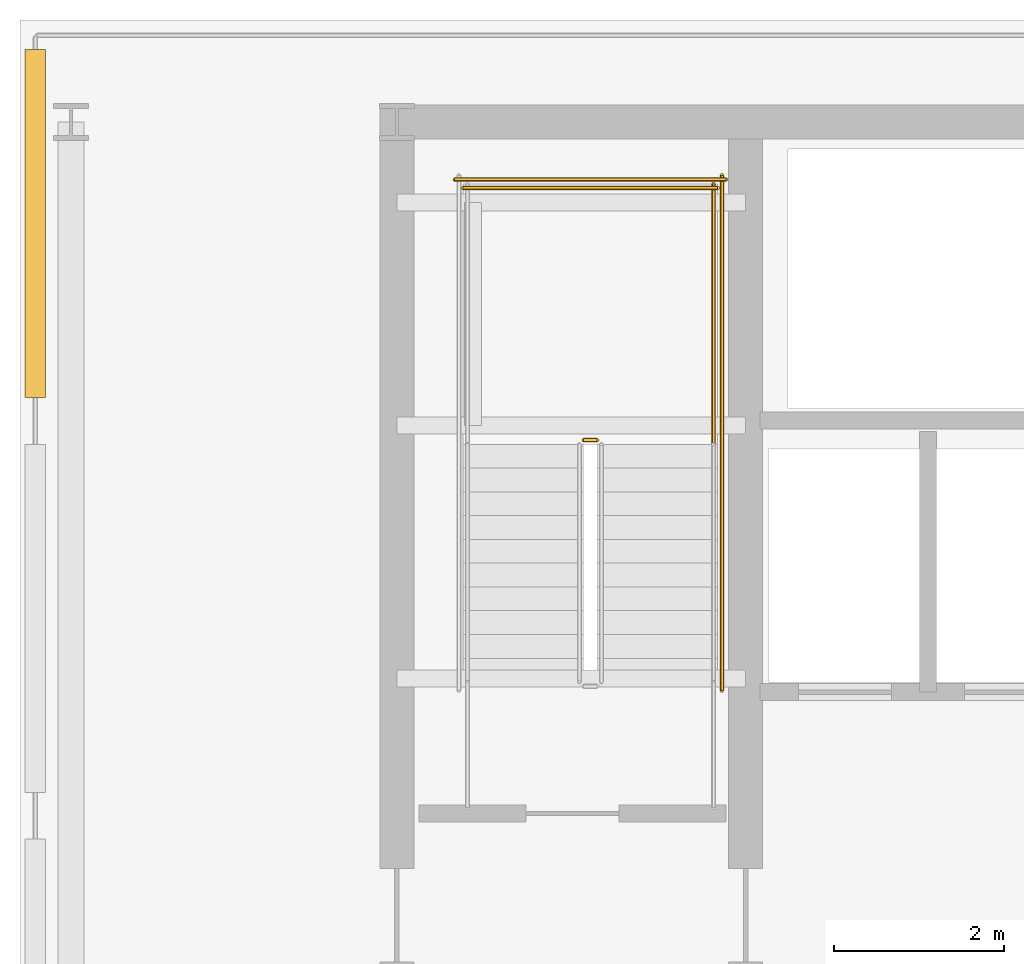
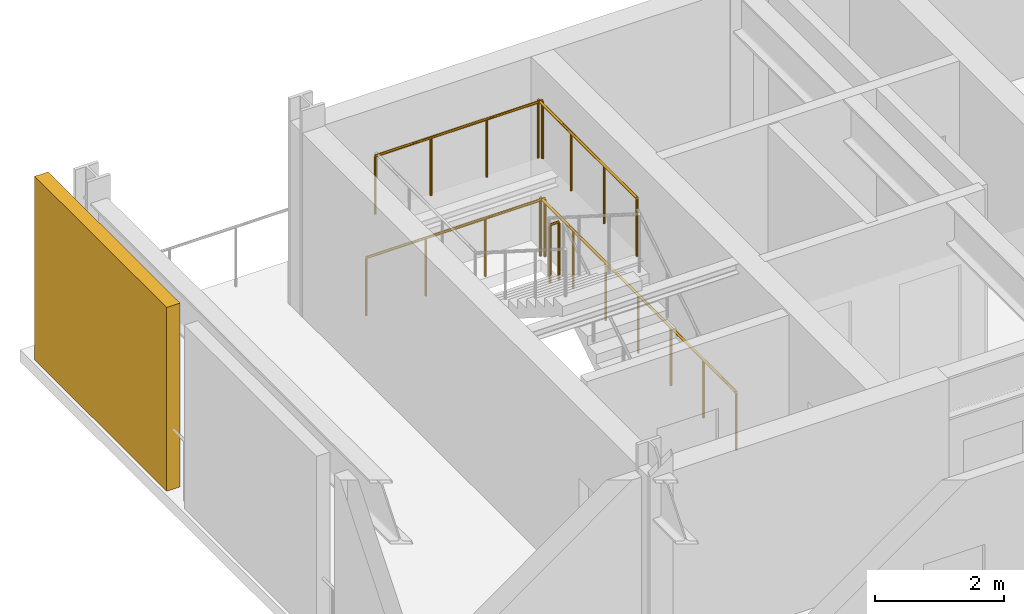
# One storey, part 6 of 8: 5 railings, 1 shading device.
"""IFC4 building model written with IfcOpenShell, lengths in metres."""

import ifcopenshell
import ifcopenshell.guid

model = None  # the IFC model being written
_history = None  # IfcOwnerHistory: only IFC2X3 demands one
_inside = {}  # id of a spatial element -> (the spatial element, [elements in it])
_under = {}  # id of a project, library or spatial element -> (it, [spatial elements below it])
_declared = {}  # id of a project -> (the project, [libraries it declares])
_typed = {}  # id of a type object -> (the type object, [elements of that type])
_made_of = {}  # id of a material, layer set ... -> (it, [elements and type objects made of it])


def new_model(schema):
    """Start an empty IFC model of exactly this schema.

    Asked for "IFC4X3", IfcOpenShell would pick the latest addendum, in which some entities
    have other attributes; the version numbers below select the first issue.
    IFC2X3 requires an IfcOwnerHistory on every rooted entity: one is made here for all.
    """
    global model, _history
    if schema == "IFC4X3":
        model = ifcopenshell.file(schema_version=(4, 3, 0, 0))
    else:
        model = ifcopenshell.file(schema=schema)
    _inside.clear()
    _under.clear()
    _declared.clear()
    _typed.clear()
    _made_of.clear()
    _history = None
    if model.schema == "IFC2X3":
        org = make("IfcOrganization", Name="unknown")
        user = make(
            "IfcPersonAndOrganization",
            ThePerson=make("IfcPerson", FamilyName="unknown"),
            TheOrganization=org,
        )
        app = make(
            "IfcApplication",
            ApplicationDeveloper=org,
            Version="unknown",
            ApplicationFullName="unknown",
            ApplicationIdentifier="unknown",
        )
        _history = make(
            "IfcOwnerHistory",
            OwningUser=user,
            OwningApplication=app,
            ChangeAction="ADDED",
            CreationDate=0,
        )
    return model


def make(cls, **values):
    """One entity of the class cls with the attributes given. An attribute that is None is left unset."""
    return model.create_entity(
        cls, **{name: value for name, value in values.items() if value is not None}
    )


def rooted(cls, **values):
    """An entity with a GlobalId (a new one), such as an element, a storey or a relation."""
    return make(cls, GlobalId=ifcopenshell.guid.new(), OwnerHistory=_history, **values)


def si_unit(unit_type, name, prefix=None):
    """IfcSIUnit, for example si_unit("LENGTHUNIT", "METRE", prefix="MILLI")."""
    return make("IfcSIUnit", UnitType=unit_type, Prefix=prefix, Name=name)


def assignment(units):
    """IfcUnitAssignment: the units of a project."""
    return None if units is None else make("IfcUnitAssignment", Units=units)


def point(xyz):
    """IfcCartesianPoint."""
    return None if xyz is None else make("IfcCartesianPoint", Coordinates=xyz)


def direction(xyz):
    """IfcDirection."""
    return None if xyz is None else make("IfcDirection", DirectionRatios=xyz)


def frame(location, z_axis=None, x_axis=None):
    """IfcAxis2Placement3D, a coordinate frame: its origin and axes. An axis left out is left unset."""
    return make(
        "IfcAxis2Placement3D",
        Location=point(location),
        Axis=direction(z_axis),
        RefDirection=direction(x_axis),
    )


def frame_2d(location, x_axis=None):
    """IfcAxis2Placement2D, a coordinate frame in the plane: its origin and x axis."""
    return make(
        "IfcAxis2Placement2D", Location=point(location), RefDirection=direction(x_axis)
    )


def origin():
    """The frame at (0, 0, 0) with its axes left unset."""
    return frame((0.0, 0.0, 0.0))


def origin_2d():
    """The frame at (0, 0) in the plane with its x axis left unset."""
    return frame_2d((0.0, 0.0))


def place(relative_to, where):
    """IfcLocalPlacement: puts the frame where relative to a parent placement (None: the world)."""
    return make(
        "IfcLocalPlacement", PlacementRelTo=relative_to, RelativePlacement=where
    )


def context(
    kind, dimensions, precision=None, world=None, true_north=None, identifier=None
):
    """IfcGeometricRepresentationContext, for example the 3D "Model" context."""
    return make(
        "IfcGeometricRepresentationContext",
        ContextIdentifier=identifier,
        ContextType=kind,
        CoordinateSpaceDimension=dimensions,
        Precision=precision,
        WorldCoordinateSystem=world,
        TrueNorth=true_north,
    )


def subcontext(parent, identifier, kind, view, scale=None):
    """IfcGeometricRepresentationSubContext, for example "Body" below "Model"."""
    return make(
        "IfcGeometricRepresentationSubContext",
        ContextIdentifier=identifier,
        ContextType=kind,
        ParentContext=parent,
        TargetScale=scale,
        TargetView=view,
    )


def project(units=None, contexts=None):
    """IfcProject with its units and contexts."""
    return rooted(
        "IfcProject",
        Name="project",
        RepresentationContexts=contexts,
        UnitsInContext=assignment(units),
    )


def spatial(cls, under=None, at=None, **own):
    """A site, building, storey or space (cls), placed at a placement, below another one or the project."""
    s = rooted(cls, ObjectPlacement=at, **own)
    if under is not None:
        _under.setdefault(under.id(), (under, []))[1].append(s)
    return s


def profile(cls, at=None, kind="AREA", **sizes):
    """A parametric profile (cls). Its sizes go by their IFC names, for example OverallWidth=200.0."""
    return make(cls, ProfileType=kind, Position=at, **sizes)


def rectangle(**sizes):
    """IfcRectangleProfileDef."""
    return profile("IfcRectangleProfileDef", **sizes)


def circle(**sizes):
    """IfcCircleProfileDef."""
    return profile("IfcCircleProfileDef", **sizes)


def extrude(swept, where, along, depth):
    """IfcExtrudedAreaSolid: the profile swept, set in the frame where, extruded along a direction by depth."""
    return make(
        "IfcExtrudedAreaSolid",
        SweptArea=swept,
        Position=where,
        ExtrudedDirection=direction(along),
        Depth=depth,
    )


def shape(context_of_items, identifier, shape_type, items):
    """IfcShapeRepresentation: the items that make up one representation, for example the "Body"."""
    return make(
        "IfcShapeRepresentation",
        ContextOfItems=context_of_items,
        RepresentationIdentifier=identifier,
        RepresentationType=shape_type,
        Items=items,
    )


def material(Name=None, Category=None):
    """IfcMaterial."""
    return make("IfcMaterial", Name=Name, Category=Category)


def layer(
    of_material, thickness, ventilated=None, Name=None, Category=None, Priority=None
):
    """IfcMaterialLayer: one layer of a wall or slab, of a material (None: an air gap)."""
    return make(
        "IfcMaterialLayer",
        Material=of_material,
        LayerThickness=thickness,
        IsVentilated=ventilated,
        Name=Name,
        Category=Category,
        Priority=Priority,
    )


def layer_set(layers, Name=None):
    """IfcMaterialLayerSet."""
    return make("IfcMaterialLayerSet", MaterialLayers=layers, LayerSetName=Name)


def made_of(thing, what):
    """Note that an element or type object is made of a material, layer set ...; save() writes the relation."""
    if what is not None:
        _made_of.setdefault(what.id(), (what, []))[1].append(thing)
    return thing


def type_object(cls, material=None, **own):
    """A type object (cls), such as IfcWallType, which elements share."""
    return made_of(rooted(cls, **own), material)


def element(
    cls,
    number,
    at=None,
    inside=None,
    cuts=None,
    type_object=None,
    material=None,
    context=None,
    identifier="Body",
    shape_type=None,
    held_by="IfcProductDefinitionShape",
    body=None,
    shapes=None,
    **own,
):
    """One element of the class cls, such as IfcWall. Its Tag is "e" and its number.

    at: its placement. inside: the storey or other place that contains it. cuts: it is an
    opening in that element (IfcRelVoidsElement). A single representation is given by context,
    identifier, shape_type and body (its items); several are given by shapes. held_by: the class
    of the entity that holds the representations. save() writes the other relations.
    """
    e = rooted(cls, Tag="e%d" % number, ObjectPlacement=at, **own)
    if body is not None:
        shapes = [shape(context, identifier, shape_type, body)]
    if shapes is not None:
        e.Representation = make(held_by, Representations=shapes)
    if inside is not None:
        _inside.setdefault(inside.id(), (inside, []))[1].append(e)
    if cuts is not None:
        rooted(
            "IfcRelVoidsElement", RelatingBuildingElement=cuts, RelatedOpeningElement=e
        )
    if type_object is not None:
        _typed.setdefault(type_object.id(), (type_object, []))[1].append(e)
    return made_of(e, material)


def aggregate(whole, parts):
    """IfcRelAggregates: a whole, such as a stair, and the parts it consists of."""
    return rooted("IfcRelAggregates", RelatingObject=whole, RelatedObjects=parts)


def save(model, path):
    """Write the relations noted so far, then the file.

    IfcRelAggregates (storeys below a building ...), IfcRelContainedInSpatialStructure (elements
    in a storey), IfcRelDefinesByType, IfcRelAssociatesMaterial and IfcRelDeclares: one each for
    every whole, place, type object, material and project.
    """
    for whole, parts in _under.values():
        aggregate(whole, parts)
    for where, things in _inside.values():
        rooted(
            "IfcRelContainedInSpatialStructure",
            RelatedElements=things,
            RelatingStructure=where,
        )
    for kind, things in _typed.values():
        rooted("IfcRelDefinesByType", RelatedObjects=things, RelatingType=kind)
    for what, things in _made_of.values():
        rooted("IfcRelAssociatesMaterial", RelatedObjects=things, RelatingMaterial=what)
    for by, libraries in _declared.values():
        rooted("IfcRelDeclares", RelatingContext=by, RelatedDefinitions=libraries)
    model.write(path)


model = new_model("IFC4")

# Units and contexts
model_context = context("Model", 3, precision=1e-05, world=origin(), true_north=direction((0.0, 1.0)))
body_context = subcontext(model_context, "Body", "Model", "MODEL_VIEW")
ifc_project = project(units=[si_unit("LENGTHUNIT", "METRE"), si_unit("AREAUNIT", "SQUARE_METRE"), si_unit("VOLUMEUNIT", "CUBIC_METRE"), si_unit("PLANEANGLEUNIT", "RADIAN"), si_unit("MASSUNIT", "GRAM", prefix="KILO")], contexts=[model_context])

# Site, building, storey
site_placement = place(None, origin())
site = spatial("IfcSite", under=ifc_project, at=site_placement, CompositionType="ELEMENT")
building_placement = place(site_placement, origin())
building = spatial("IfcBuilding", under=site, at=building_placement, Name="Yelkora Congress Tower", CompositionType="ELEMENT")
storey_placement = place(building_placement, frame((0.0, 0.0, 251.300048828125)))
storey = spatial("IfcBuildingStorey", under=building, at=storey_placement, Name="L70", CompositionType="ELEMENT", Elevation=251.300048828125)

# Railings
ifc_material_1 = material(Name="Painted galvanised steel stair well guard with vertical infill", Category="steel")
ifc_layer_1 = layer(ifc_material_1, 0.06005859375)
ifc_layer_set_1 = layer_set([ifc_layer_1], Name="Painted galvanised steel stair well guard with vertical infill")
railing_type = type_object("IfcRailingType", Name="RAIL-STAIR-GUARD-1120", PredefinedType="GUARDRAIL", material=ifc_layer_set_1)
railing_1_placement = place(storey_placement, frame((25.39990234375, 42.449951171875, 1.949951171875)))
element("IfcRailing", 1, at=railing_1_placement, inside=storey, type_object=railing_type, Name="ST-01 L70 Stair Well Guardrail 2", PredefinedType="GUARDRAIL", context=body_context, shape_type="SweptSolid", body=[
    extrude(circle(Radius=0.02392578125, at=origin_2d()), frame((0.0, 0.0, 1.09619140625), z_axis=(-1.0, 0.0, 0.0), x_axis=(0.0, -1.0, 0.0)), (0.0, 0.0, 1.0), 0.159912109375),
    extrude(circle(Radius=0.02099609375, at=origin_2d()), origin(), (0.0, 0.0, 1.0), 1.072021484375),
    extrude(circle(Radius=0.02099609375, at=origin_2d()), frame((-0.159912109375, 0.0, 0.0)), (0.0, 0.0, 1.0), 1.072021484375),
])
railing_2_placement = place(storey_placement, frame((26.77001953125, 42.39990234375, 1.949951171875)))
element("IfcRailing", 2, at=railing_2_placement, inside=storey, type_object=railing_type, Name="ST-01 L70 Stair Well Guardrail 3", PredefinedType="GUARDRAIL", context=body_context, shape_type="SweptSolid", body=[
    extrude(circle(Radius=0.02392578125, at=origin_2d()), frame((0.0, 0.0, 1.09619140625), z_axis=(0.0, 1.0, 0.0), x_axis=(-1.0, 0.0, 0.0)), (0.0, 0.0, 1.0), 3.070068359375),
    extrude(circle(Radius=0.02099609375, at=origin_2d()), origin(), (0.0, 0.0, 1.0), 1.072021484375),
    extrude(circle(Radius=0.02099609375, at=origin_2d()), frame((0.0, 1.0234375, 0.0)), (0.0, 0.0, 1.0), 1.072021484375),
    extrude(circle(Radius=0.02099609375, at=origin_2d()), frame((0.0, 2.046630859375, 0.0)), (0.0, 0.0, 1.0), 1.072021484375),
    extrude(circle(Radius=0.02099609375, at=origin_2d()), frame((0.0, 3.070068359375, 0.0)), (0.0, 0.0, 1.0), 1.072021484375),
])
railing_3_placement = place(storey_placement, frame((26.820068359375, 45.419921875, 1.949951171875)))
element("IfcRailing", 3, at=railing_3_placement, inside=storey, type_object=railing_type, Name="ST-01 L70 Stair Well Guardrail 5", PredefinedType="GUARDRAIL", context=body_context, shape_type="SweptSolid", body=[
    extrude(circle(Radius=0.02392578125, at=origin_2d()), frame((0.0, 0.0, 1.09619140625), z_axis=(-1.0, 0.0, 0.0), x_axis=(0.0, -1.0, 0.0)), (0.0, 0.0, 1.0), 3.0),
    extrude(circle(Radius=0.02099609375, at=origin_2d()), origin(), (0.0, 0.0, 1.0), 1.072021484375),
    extrude(circle(Radius=0.02099609375, at=origin_2d()), frame((-1.0, 0.0, 0.0)), (0.0, 0.0, 1.0), 1.072021484375),
    extrude(circle(Radius=0.02099609375, at=origin_2d()), frame((-2.0, 0.0, 0.0)), (0.0, 0.0, 1.0), 1.072021484375),
    extrude(circle(Radius=0.02099609375, at=origin_2d()), frame((-3.0, 0.0, 0.0)), (0.0, 0.0, 1.0), 1.072021484375),
])
railing_4_placement = place(storey_placement, frame((26.8701171875, 39.5, 0.0)))
element("IfcRailing", 4, at=railing_4_placement, inside=storey, type_object=railing_type, Name="ST-01 L70 Stair Well Guardrail 10", PredefinedType="GUARDRAIL", context=body_context, shape_type="SweptSolid", body=[
    extrude(circle(Radius=0.02392578125, at=origin_2d()), frame((0.0, 0.0, 1.09619140625), z_axis=(0.0, 1.0, 0.0), x_axis=(-1.0, 0.0, 0.0)), (0.0, 0.0, 1.0), 6.070068359375),
    extrude(circle(Radius=0.02099609375, at=origin_2d()), origin(), (0.0, 0.0, 1.0), 1.072021484375),
    extrude(circle(Radius=0.02099609375, at=origin_2d()), frame((0.0, 1.01171875, 0.0)), (0.0, 0.0, 1.0), 1.072021484375),
    extrude(circle(Radius=0.02099609375, at=origin_2d()), frame((0.0, 2.0234375, 0.0)), (0.0, 0.0, 1.0), 1.072021484375),
    extrude(circle(Radius=0.02099609375, at=origin_2d()), frame((0.0, 3.03515625, 0.0)), (0.0, 0.0, 1.0), 1.072021484375),
    extrude(circle(Radius=0.02099609375, at=origin_2d()), frame((0.0, 4.046630859375, 0.0)), (0.0, 0.0, 1.0), 1.072021484375),
    extrude(circle(Radius=0.02099609375, at=origin_2d()), frame((0.0, 5.058349609375, 0.0)), (0.0, 0.0, 1.0), 1.072021484375),
    extrude(circle(Radius=0.02099609375, at=origin_2d()), frame((0.0, 6.070068359375, 0.0)), (0.0, 0.0, 1.0), 1.072021484375),
])
railing_5_placement = place(storey_placement, frame((26.919921875, 45.52001953125, 0.0)))
element("IfcRailing", 5, at=railing_5_placement, inside=storey, type_object=railing_type, Name="ST-01 L70 Stair Well Guardrail 12", PredefinedType="GUARDRAIL", context=body_context, shape_type="SweptSolid", body=[
    extrude(circle(Radius=0.02392578125, at=origin_2d()), frame((0.0, 0.0, 1.09619140625), z_axis=(-1.0, 0.0, 0.0), x_axis=(0.0, -1.0, 0.0)), (0.0, 0.0, 1.0), 3.199951171875),
    extrude(circle(Radius=0.02099609375, at=origin_2d()), origin(), (0.0, 0.0, 1.0), 1.072021484375),
    extrude(circle(Radius=0.02099609375, at=origin_2d()), frame((-1.066650390625, 0.0, 0.0)), (0.0, 0.0, 1.0), 1.072021484375),
    extrude(circle(Radius=0.02099609375, at=origin_2d()), frame((-2.13330078125, 0.0, 0.0)), (0.0, 0.0, 1.0), 1.072021484375),
    extrude(circle(Radius=0.02099609375, at=origin_2d()), frame((-3.199951171875, 0.0, 0.0)), (0.0, 0.0, 1.0), 1.072021484375),
])

# Shading device
ifc_material_2 = material(Name="Perforated anodised aluminium louvre", Category="aluminium")
ifc_layer_2 = layer(ifc_material_2, 3.39990234375)
ifc_layer_set_2 = layer_set([ifc_layer_2], Name="Perforated anodised aluminium louvre")
shading_device_type = type_object("IfcShadingDeviceType", Name="SHD-LOUVRE-WIND", PredefinedType="JALOUSIE", material=ifc_layer_set_2)
shading_device_placement = place(storey_placement, frame((18.780029296875, 45.0, 0.0), z_axis=(0.0, 0.0, 1.0), x_axis=(1.0, 0.0, 0.0)))
element("IfcShadingDevice", 6, at=shading_device_placement, inside=storey, type_object=shading_device_type, Name="L70 Acoustic Wind-Floor Louvre Screen W5", PredefinedType="JALOUSIE", context=body_context, shape_type="SweptSolid", body=[
    extrude(rectangle(XDim=0.239990234375, YDim=4.10009765625, at=origin_2d()), origin(), (0.0, 0.0, 1.0), 3.47998046875),
])

save(model, "model.ifc")
